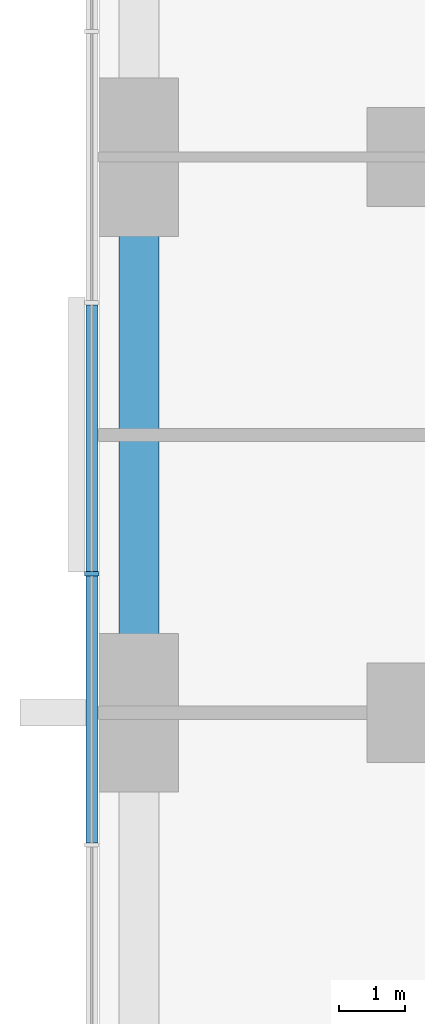
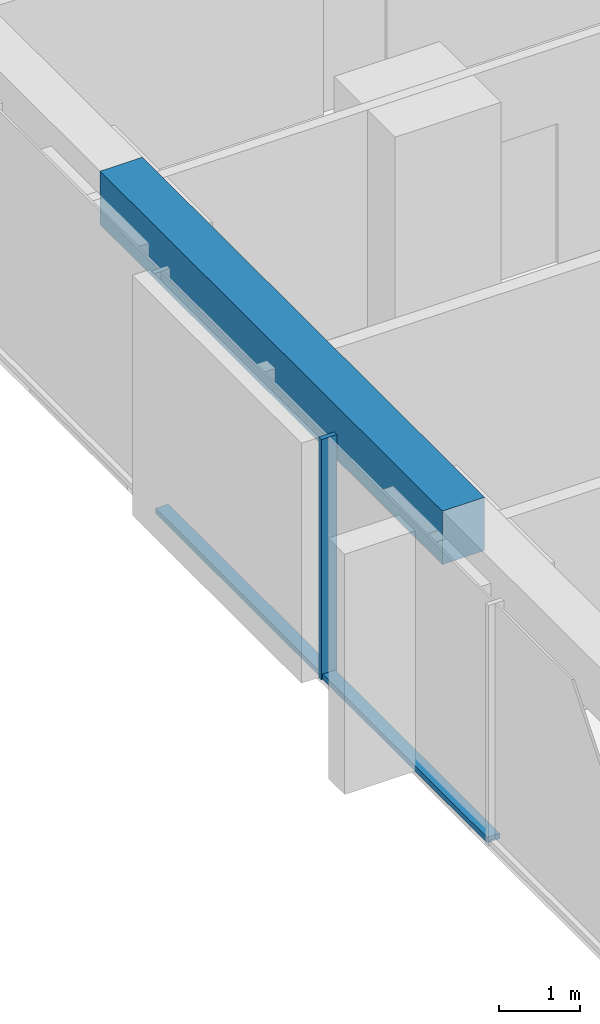
# One storey, part 3 of 14: 3 members, 1 beam, 1 element without a shape of its own.
"""IFC4 building model written with IfcOpenShell, lengths in metres."""

from ifc_helpers import new_model, si_unit, direction, frame, origin, origin_2d, place, context, subcontext, project, spatial, rectangle, extrude, material, material_profile, profile_set, type_object, element, aggregate, save


model = new_model("IFC4")

# Units and contexts
model_context = context("Model", 3, precision=1e-05, world=origin(), true_north=direction((0.0, 1.0)))
body_context = subcontext(model_context, "Body", "Model", "MODEL_VIEW")
ifc_project = project(units=[si_unit("LENGTHUNIT", "METRE"), si_unit("AREAUNIT", "SQUARE_METRE"), si_unit("VOLUMEUNIT", "CUBIC_METRE"), si_unit("PLANEANGLEUNIT", "RADIAN"), si_unit("MASSUNIT", "GRAM", prefix="KILO")], contexts=[model_context])

# Site, building, storey
site_placement = place(None, origin())
site = spatial("IfcSite", under=ifc_project, at=site_placement, CompositionType="ELEMENT")
building_placement = place(site_placement, origin())
building = spatial("IfcBuilding", under=site, at=building_placement, Name="Dunama Terrace Hotel", CompositionType="ELEMENT")
storey_placement = place(building_placement, frame((0.0, 0.0, 136.800048828125)))
storey = spatial("IfcBuildingStorey", under=building, at=storey_placement, Name="L35", CompositionType="ELEMENT", Elevation=136.800048828125)

# Curtain wall, members
ifc_material_1 = material(Name="Aluminium curtain wall system", Category="aluminium")
curtain_wall_type = type_object("IfcCurtainWallType", Name="Unitised fritted glass wall CW-B", PredefinedType="NOTDEFINED", material=ifc_material_1)
curtain_wall_placement = place(storey_placement, origin())
curtain_wall = element("IfcCurtainWall", 1, at=curtain_wall_placement, inside=storey, type_object=curtain_wall_type, Name="Unitised fritted glass wall CW-B L35", PredefinedType="NOTDEFINED")
ifc_material_2 = material(Name="Aluminium mullion", Category="aluminium")
ifc_material_profile_1 = material_profile(ifc_material_2, rectangle(XDim=0.06494140625, YDim=0.219970703125, at=origin_2d()), Name="CWB MULLION 65X220")
ifc_profile_set_1 = profile_set([ifc_material_profile_1], Name="Aluminium mullion")
member_type_1 = type_object("IfcMemberType", Name="CWB mullion 65x220", PredefinedType="MULLION", material=ifc_profile_set_1)
member_1_placement = place(storey_placement, frame((-0.110107421875, 27.300048828125, 0.0), z_axis=(0.0, 0.0, 1.0), x_axis=(0.0, -1.0, 0.0)))
member_1 = element("IfcMember", 2, at=member_1_placement, type_object=member_type_1, Name="CWB mullion", PredefinedType="MULLION", context=body_context, shape_type="SweptSolid", body=[
    extrude(rectangle(XDim=0.06494140625, YDim=0.219970703125, at=origin_2d()), origin(), (0.0, 0.0, 1.0), 3.599853515625),
])
ifc_material_3 = material(Name="Aluminium transom", Category="aluminium")
ifc_material_profile_2 = material_profile(ifc_material_3, rectangle(XDim=0.179931640625, YDim=0.080078125, at=origin_2d()), Name="CWB TRANSOM 180X80")
ifc_profile_set_2 = profile_set([ifc_material_profile_2], Name="Aluminium transom")
member_type_2 = type_object("IfcMemberType", Name="CWB transom 180x80", PredefinedType="USERDEFINED", material=ifc_profile_set_2)
member_2_placement = place(storey_placement, frame((-0.110107421875, 31.366943359375, 0.0400390625), z_axis=(0.0, -1.0, 0.0), x_axis=(1.0, 0.0, 0.0)))
member_2 = element("IfcMember", 3, at=member_2_placement, type_object=member_type_2, Name="CWB transom", ObjectType="TRANSOM", PredefinedType="USERDEFINED", context=body_context, shape_type="SweptSolid", body=[
    extrude(rectangle(XDim=0.179931640625, YDim=0.080078125, at=origin_2d()), origin(), (0.0, 0.0, 1.0), 4.034912109375),
])
member_3_placement = place(storey_placement, frame((-0.110107421875, 27.26806640625, 0.0400390625), z_axis=(0.0, -1.0, 0.0), x_axis=(1.0, 0.0, 0.0)))
member_3 = element("IfcMember", 4, at=member_3_placement, type_object=member_type_2, Name="CWB transom", ObjectType="TRANSOM", PredefinedType="USERDEFINED", context=body_context, shape_type="SweptSolid", body=[
    extrude(rectangle(XDim=0.179931640625, YDim=0.080078125, at=origin_2d()), origin(), (0.0, 0.0, 1.0), 4.03515625),
])
aggregate(curtain_wall, [member_1, member_2, member_3])

# Beam
ifc_material_4 = material(Name="Concrete C40/50", Category="concrete")
ifc_material_profile_3 = material_profile(ifc_material_4, rectangle(XDim=0.60009765625, YDim=0.800048828125, at=origin_2d()), Name="RC 600x800")
ifc_profile_set_3 = profile_set([ifc_material_profile_3], Name="Concrete C40/50")
beam_type = type_object("IfcBeamType", Name="Edge beam RC 600x800", PredefinedType="SPANDREL", material=ifc_profile_set_3)
beam_placement = place(storey_placement, frame((0.60009765625, 25.199951171875, 3.199951171875), z_axis=(0.0, 1.0, 0.0), x_axis=(-1.0, 0.0, 0.0)))
element("IfcBeam", 5, at=beam_placement, inside=storey, type_object=beam_type, Name="Edge beam under L36", PredefinedType="SPANDREL", context=body_context, shape_type="SweptSolid", body=[
    extrude(rectangle(XDim=0.60009765625, YDim=0.800048828125, at=origin_2d()), origin(), (0.0, 0.0, 1.0), 8.400146484375),
])

save(model, "model.ifc")
